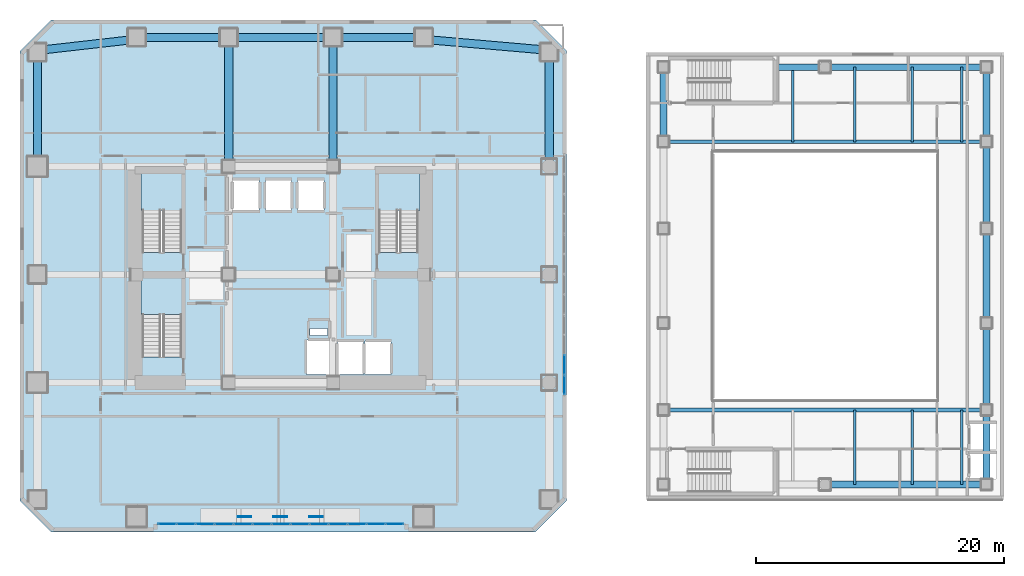
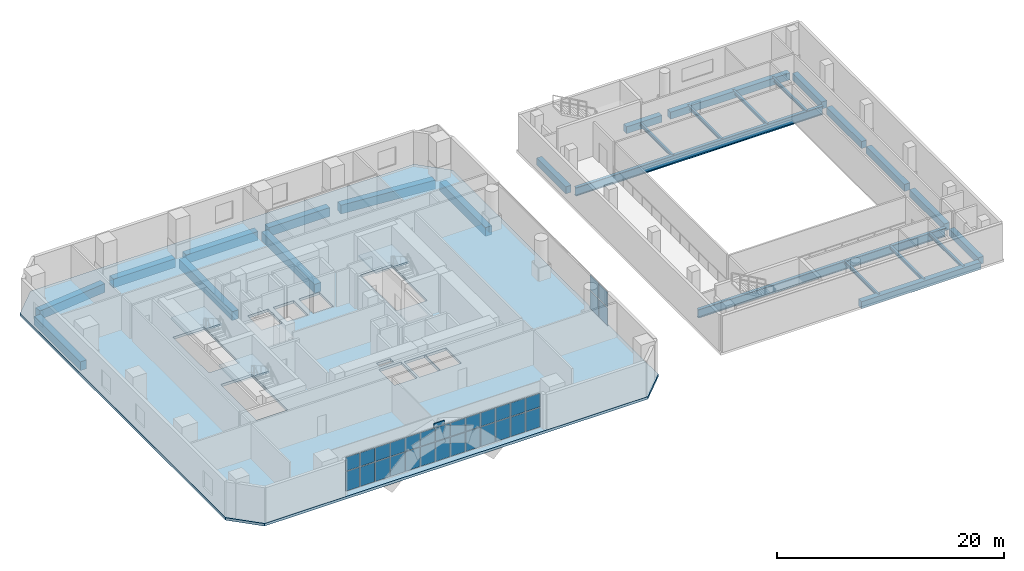
# One storey, part 12 of 22: 33 plates, 27 beams, 4 slabs, 5 elements without a shape of their own.
"""IFC4 building model written with IfcOpenShell, lengths in metres."""

from ifc_helpers import new_model, si_unit, direction, frame, origin, origin_2d, place, context, subcontext, project, spatial, polyline, rectangle, i_section, outline, extrude, material, layer, layer_set, material_profile, profile_set, type_object, element, aggregate, save


model = new_model("IFC4")

# Units and contexts
model_context = context("Model", 3, precision=1e-05, world=origin(), true_north=direction((0.0, 1.0)))
body_context = subcontext(model_context, "Body", "Model", "MODEL_VIEW")
ifc_project = project(units=[si_unit("LENGTHUNIT", "METRE"), si_unit("AREAUNIT", "SQUARE_METRE"), si_unit("VOLUMEUNIT", "CUBIC_METRE"), si_unit("PLANEANGLEUNIT", "RADIAN"), si_unit("MASSUNIT", "GRAM", prefix="KILO")], contexts=[model_context])

# Site, building, storey
site_placement = place(None, origin())
site = spatial("IfcSite", under=ifc_project, at=site_placement, CompositionType="ELEMENT")
building_placement = place(site_placement, origin())
building = spatial("IfcBuilding", under=site, at=building_placement, Name="Solanera Arch Residences", CompositionType="ELEMENT")
storey_placement = place(building_placement, frame((0.0, 0.0, 13.60009765625)))
storey = spatial("IfcBuildingStorey", under=building, at=storey_placement, Name="L03", CompositionType="ELEMENT", Elevation=13.60009765625)

# Beams
ifc_material_1 = material(Name="Concrete C40/50 (f'c = 45 MPa)", Category="concrete")
ifc_material_profile_1 = material_profile(ifc_material_1, rectangle(XDim=0.550048828125, YDim=0.75, at=origin_2d()))
ifc_profile_set_1 = profile_set([ifc_material_profile_1], Name="Concrete C40/50 (f'c = 45 MPa)")
beam_type_1 = type_object("IfcBeamType", Name="Primary Beam RC-BM-550X750", PredefinedType="BEAM", material=ifc_profile_set_1)
beam_1_placement = place(storey_placement, frame((81.800048828125, 14.22509765625, -0.655029296875), z_axis=(0.0, 1.0, 0.0), x_axis=(-1.0, 0.0, 0.0)))
element("IfcBeam", 1, at=beam_1_placement, inside=storey, type_object=beam_type_1, Name="BM-L03-HE-1", PredefinedType="BEAM", context=body_context, shape_type="SweptSolid", body=[
    extrude(rectangle(XDim=0.550048828125, YDim=0.75, at=origin_2d()), origin(), (0.0, 0.0, 1.0), 5.14990234375),
])
beam_2_placement = place(storey_placement, frame((81.800048828125, 20.22509765625, -0.655029296875), z_axis=(0.0, 1.0, 0.0), x_axis=(-1.0, 0.0, 0.0)))
element("IfcBeam", 2, at=beam_2_placement, inside=storey, type_object=beam_type_1, Name="BM-L03-HE-2", PredefinedType="BEAM", context=body_context, shape_type="SweptSolid", body=[
    extrude(rectangle(XDim=0.550048828125, YDim=0.75, at=origin_2d()), origin(), (0.0, 0.0, 1.0), 6.14990234375),
])
beam_3_placement = place(storey_placement, frame((81.800048828125, 27.22509765625, -0.655029296875), z_axis=(0.0, 1.0, 0.0), x_axis=(-1.0, 0.0, 0.0)))
element("IfcBeam", 3, at=beam_3_placement, inside=storey, type_object=beam_type_1, Name="BM-L03-HE-3", PredefinedType="BEAM", context=body_context, shape_type="SweptSolid", body=[
    extrude(rectangle(XDim=0.550048828125, YDim=0.75, at=origin_2d()), origin(), (0.0, 0.0, 1.0), 6.75),
])
beam_4_placement = place(storey_placement, frame((81.800048828125, 34.824951171875, -0.655029296875), z_axis=(0.0, 1.0, 0.0), x_axis=(-1.0, 0.0, 0.0)))
element("IfcBeam", 4, at=beam_4_placement, inside=storey, type_object=beam_type_1, Name="BM-L03-HE-4", PredefinedType="BEAM", context=body_context, shape_type="SweptSolid", body=[
    extrude(rectangle(XDim=0.550048828125, YDim=0.75, at=origin_2d()), origin(), (0.0, 0.0, 1.0), 6.150146484375),
])
for number, where, z_axis, x_axis, name in (
    (5, (55.800048828125, 41.824951171875, -0.655029296875), (0.0, 1.0, 0.0), (-1.0, 0.0, 0.0), "BM-L03-HW-5"),
    (6, (81.800048828125, 41.824951171875, -0.655029296875), (0.0, 1.0, 0.0), (-1.0, 0.0, 0.0), "BM-L03-HE-5"),
):
    element("IfcBeam", number, at=place(storey_placement, frame(where, z_axis=z_axis, x_axis=x_axis)), inside=storey, type_object=beam_type_1, Name=name, PredefinedType="BEAM", context=body_context, shape_type="SweptSolid", body=[
        extrude(rectangle(XDim=0.550048828125, YDim=0.75, at=origin_2d()), origin(), (0.0, 0.0, 1.0), 5.150146484375),
    ])
beam_5_placement = place(storey_placement, frame((69.25, 13.800048828125, -0.655029296875), z_axis=(1.0, 0.0, 0.0), x_axis=(0.0, 1.0, 0.0)))
element("IfcBeam", 7, at=beam_5_placement, inside=storey, type_object=beam_type_1, Name="BM-L03-HS-2", PredefinedType="BEAM", context=body_context, shape_type="SweptSolid", body=[
    extrude(rectangle(XDim=0.550048828125, YDim=0.75, at=origin_2d()), origin(), (0.0, 0.0, 1.0), 12.125),
])
beam_6_placement = place(storey_placement, frame((64.760009765625, 47.39990234375, -0.655029296875), z_axis=(1.0, 0.0, 0.0), x_axis=(0.0, 1.0, 0.0)))
element("IfcBeam", 8, at=beam_6_placement, inside=storey, type_object=beam_type_1, Name="BM-L03-HN-1", PredefinedType="BEAM", context=body_context, shape_type="SweptSolid", body=[
    extrude(rectangle(XDim=0.550048828125, YDim=0.75, at=origin_2d()), origin(), (0.0, 0.0, 1.0), 3.590087890625),
])
beam_7_placement = place(storey_placement, frame((69.25, 47.39990234375, -0.655029296875), z_axis=(1.0, 0.0, 0.0), x_axis=(0.0, 1.0, 0.0)))
element("IfcBeam", 9, at=beam_7_placement, inside=storey, type_object=beam_type_1, Name="BM-L03-HN-2", PredefinedType="BEAM", context=body_context, shape_type="SweptSolid", body=[
    extrude(rectangle(XDim=0.550048828125, YDim=0.75, at=origin_2d()), origin(), (0.0, 0.0, 1.0), 12.125),
])
ifc_material_2 = material(Name="Concrete C40/50 (f'c = 45 MPa)", Category="concrete")
ifc_material_profile_2 = material_profile(ifc_material_2, rectangle(XDim=0.64990234375, YDim=0.949951171875, at=origin_2d()))
ifc_profile_set_2 = profile_set([ifc_material_profile_2], Name="Concrete C40/50 (f'c = 45 MPa)")
beam_type_2 = type_object("IfcBeamType", Name="Primary Beam RC-BM-650X950", PredefinedType="BEAM", material=ifc_profile_set_2)
beam_8_placement = place(storey_placement, frame((5.39990234375, 39.93994140625, -0.755126953125), z_axis=(0.0, 1.0, 0.0), x_axis=(-1.0, 0.0, 0.0)))
element("IfcBeam", 10, at=beam_8_placement, inside=storey, type_object=beam_type_2, Name="BM-L03-POD-W4", PredefinedType="BEAM", context=body_context, shape_type="SweptSolid", body=[
    extrude(rectangle(XDim=0.64990234375, YDim=0.949951171875, at=origin_2d()), origin(), (0.0, 0.0, 1.0), 8.1201171875),
])
beam_9_placement = place(storey_placement, frame((5.8798828125, 48.800048828125, -0.755126953125), z_axis=(0.993604551923, 0.112915873098, 0.0), x_axis=(-0.112915873098, 0.993604551923, 0.0)))
element("IfcBeam", 11, at=beam_9_placement, inside=storey, type_object=beam_type_2, Name="BM-L03-POD-N1", PredefinedType="BEAM", context=body_context, shape_type="SweptSolid", body=[
    extrude(rectangle(XDim=0.64990234375, YDim=0.949951171875, at=origin_2d()), origin(), (0.0, 0.0, 1.0), 7.08544921875),
])
beam_10_placement = place(storey_placement, frame((13.93994140625, 49.800048828125, -0.755126953125), z_axis=(1.0, 0.0, 0.0), x_axis=(0.0, 1.0, 0.0)))
element("IfcBeam", 12, at=beam_10_placement, inside=storey, type_object=beam_type_2, Name="BM-L03-POD-N2", PredefinedType="BEAM", context=body_context, shape_type="SweptSolid", body=[
    extrude(rectangle(XDim=0.64990234375, YDim=0.949951171875, at=origin_2d()), origin(), (0.0, 0.0, 1.0), 6.320068359375),
])
beam_11_placement = place(storey_placement, frame((21.340087890625, 49.800048828125, -0.755126953125), z_axis=(1.0, 0.0, 0.0), x_axis=(0.0, 1.0, 0.0)))
element("IfcBeam", 13, at=beam_11_placement, inside=storey, type_object=beam_type_2, Name="BM-L03-POD-N3", PredefinedType="BEAM", context=body_context, shape_type="SweptSolid", body=[
    extrude(rectangle(XDim=0.64990234375, YDim=0.949951171875, at=origin_2d()), origin(), (0.0, 0.0, 1.0), 7.31982421875),
])
beam_12_placement = place(storey_placement, frame((29.739990234375, 49.800048828125, -0.755126953125), z_axis=(1.0, 0.0, 0.0), x_axis=(0.0, 1.0, 0.0)))
element("IfcBeam", 14, at=beam_12_placement, inside=storey, type_object=beam_type_2, Name="BM-L03-POD-N4", PredefinedType="BEAM", context=body_context, shape_type="SweptSolid", body=[
    extrude(rectangle(XDim=0.64990234375, YDim=0.949951171875, at=origin_2d()), origin(), (0.0, 0.0, 1.0), 6.219970703125),
])
beam_13_placement = place(storey_placement, frame((36.97998046875, 49.60009765625, -0.755126953125), z_axis=(0.996191002053, -0.087197978357, 0.0), x_axis=(0.087197978357, 0.996191002053, 0.0)))
element("IfcBeam", 15, at=beam_13_placement, inside=storey, type_object=beam_type_2, Name="BM-L03-POD-N5", PredefinedType="BEAM", context=body_context, shape_type="SweptSolid", body=[
    extrude(rectangle(XDim=0.64990234375, YDim=0.949951171875, at=origin_2d()), origin(), (0.0, 0.0, 1.0), 9.175048828125),
])
beam_14_placement = place(storey_placement, frame((46.60009765625, 39.93994140625, -0.755126953125), z_axis=(0.0, 1.0, 0.0), x_axis=(-1.0, 0.0, 0.0)))
element("IfcBeam", 16, at=beam_14_placement, inside=storey, type_object=beam_type_2, Name="BM-L03-POD-E4", PredefinedType="BEAM", context=body_context, shape_type="SweptSolid", body=[
    extrude(rectangle(XDim=0.64990234375, YDim=0.949951171875, at=origin_2d()), origin(), (0.0, 0.0, 1.0), 8.1201171875),
])
for number, where, z_axis, x_axis, name in (
    (17, (20.800048828125, 39.904052734375, -0.755126953125), (0.0, 1.0, 0.0), (-1.0, 0.0, 0.0), "BM-L03-POD-RN-20"),
    (18, (29.199951171875, 39.904052734375, -0.755126953125), (0.0, 1.0, 0.0), (-1.0, 0.0, 0.0), "BM-L03-POD-RN-29"),
):
    element("IfcBeam", number, at=place(storey_placement, frame(where, z_axis=z_axis, x_axis=x_axis)), inside=storey, type_object=beam_type_2, Name=name, PredefinedType="BEAM", context=body_context, shape_type="SweptSolid", body=[
        extrude(rectangle(XDim=0.64990234375, YDim=0.949951171875, at=origin_2d()), origin(), (0.0, 0.0, 1.0), 9.35595703125),
    ])
ifc_material_3 = material(Name="Steel S355 (ASTM A992 / A572 Grade 50)", Category="steel")
ifc_material_profile_3 = material_profile(ifc_material_3, i_section(OverallWidth=0.306884765625, OverallDepth=0.912109375, WebThickness=0.01953125, FlangeThickness=0.031982421875, at=origin_2d()))
ifc_profile_set_3 = profile_set([ifc_material_profile_3], Name="Steel S355 (ASTM A992 / A572 Grade 50)")
beam_type_3 = type_object("IfcBeamType", Name="Primary Beam W920X342", PredefinedType="BEAM", material=ifc_profile_set_3)
for number, where, z_axis, x_axis, name in (
    (19, (56.22509765625, 19.800048828125, -0.736083984375), (1.0, 0.0, 0.0), (0.0, 1.0, 0.0), "BM-L03-HCS"),
    (20, (56.22509765625, 41.39990234375, -0.736083984375), (1.0, 0.0, 0.0), (0.0, 1.0, 0.0), "BM-L03-HCN"),
):
    element("IfcBeam", number, at=place(storey_placement, frame(where, z_axis=z_axis, x_axis=x_axis)), inside=storey, type_object=beam_type_3, Name=name, PredefinedType="BEAM", context=body_context, shape_type="SweptSolid", body=[
        extrude(i_section(OverallWidth=0.306884765625, OverallDepth=0.912109375, WebThickness=0.01953125, FlangeThickness=0.031982421875, at=origin_2d()), origin(), (0.0, 0.0, 1.0), 25.14990234375),
    ])
ifc_material_4 = material(Name="Steel S355 (ASTM A992 / A572 Grade 50)", Category="steel")
ifc_material_profile_4 = material_profile(ifc_material_4, i_section(OverallWidth=0.205078125, OverallDepth=0.35400390625, WebThickness=0.009521484375, FlangeThickness=0.016845703125, at=origin_2d()))
ifc_profile_set_4 = profile_set([ifc_material_profile_4], Name="Steel S355 (ASTM A992 / A572 Grade 50)")
beam_type_4 = type_object("IfcBeamType", Name="Secondary Joist W360X79", PredefinedType="JOIST", material=ifc_profile_set_4)
for number, where, z_axis, x_axis, name in (
    (21, (66.199951171875, 41.39990234375, -0.45703125), (0.0, 1.0, 0.0), (-1.0, 0.0, 0.0), "BM-L03-HJN-66"),
    (22, (71.199951171875, 13.800048828125, -0.45703125), (0.0, 1.0, 0.0), (-1.0, 0.0, 0.0), "BM-L03-HJS-71"),
    (23, (71.199951171875, 41.39990234375, -0.45703125), (0.0, 1.0, 0.0), (-1.0, 0.0, 0.0), "BM-L03-HJN-71"),
    (24, (75.800048828125, 13.800048828125, -0.45703125), (0.0, 1.0, 0.0), (-1.0, 0.0, 0.0), "BM-L03-HJS-75"),
    (25, (75.800048828125, 41.39990234375, -0.45703125), (0.0, 1.0, 0.0), (-1.0, 0.0, 0.0), "BM-L03-HJN-75"),
    (26, (79.800048828125, 13.800048828125, -0.45703125), (0.0, 1.0, 0.0), (-1.0, 0.0, 0.0), "BM-L03-HJS-79"),
    (27, (79.800048828125, 41.39990234375, -0.45703125), (0.0, 1.0, 0.0), (-1.0, 0.0, 0.0), "BM-L03-HJN-79"),
):
    element("IfcBeam", number, at=place(storey_placement, frame(where, z_axis=z_axis, x_axis=x_axis)), inside=storey, type_object=beam_type_4, Name=name, PredefinedType="JOIST", context=body_context, shape_type="SweptSolid", body=[
        extrude(i_section(OverallWidth=0.205078125, OverallDepth=0.35400390625, WebThickness=0.009521484375, FlangeThickness=0.016845703125, at=origin_2d()), origin(), (0.0, 0.0, 1.0), 6.0),
    ])

# Plates
ifc_material_5 = material(Name="Steel S355 (ASTM A992 / A572 Grade 50)", Category="steel")
ifc_layer_1 = layer(ifc_material_5, 0.080078125)
ifc_layer_set_1 = layer_set([ifc_layer_1], Name="Steel S355 (ASTM A992 / A572 Grade 50)")
plate_type_1 = type_object("IfcPlateType", Name="Gusset Plate GP-80", PredefinedType="USERDEFINED", material=ifc_layer_set_1)
for number, where, z_axis, x_axis, name in (
    (28, (22.06201171875, 11.199951171875, 0.89990234375), (0.0, 0.0, 1.0), (1.0, 0.0, 0.0), "Monumental Arch Node Gusset 3"),
    (29, (24.949951171875, 11.199951171875, 1.849853515625), (0.0, 0.0, 1.0), (1.0, 0.0, 0.0), "Monumental Arch Node Gusset 4"),
    (30, (27.8369140625, 11.199951171875, 0.89990234375), (0.0, 0.0, 1.0), (1.0, 0.0, 0.0), "Monumental Arch Node Gusset 5"),
):
    element("IfcPlate", number, at=place(storey_placement, frame(where, z_axis=z_axis, x_axis=x_axis)), inside=storey, type_object=plate_type_1, Name=name, ObjectType="GUSSET", PredefinedType="USERDEFINED", context=body_context, shape_type="SweptSolid", body=[
        extrude(rectangle(XDim=1.10009765625, YDim=0.080078125, at=origin_2d()), origin(), (0.0, 0.0, 1.0), 1.89990234375),
    ])

# Stair, slab
ifc_material_6 = material(Name="Concrete C40/50 (f'c = 45 MPa)", Category="concrete")
stair_type = type_object("IfcStairType", Name="Tower Dogleg Exit Stair 1480", PredefinedType="HALF_TURN_STAIR", material=ifc_material_6)
stair_1_placement = place(storey_placement, origin())
stair_1 = element("IfcStair", 31, at=stair_1_placement, inside=storey, type_object=stair_type, Name="L03 Tower Core Exit Stair 1", PredefinedType="HALF_TURN_STAIR")
ifc_material_7 = material(Name="Concrete C40/50 (f'c = 45 MPa)", Category="concrete")
ifc_layer_2 = layer(ifc_material_7, 0.199951171875)
ifc_layer_set_2 = layer_set([ifc_layer_2], Name="Concrete C40/50 (f'c = 45 MPa)")
slab_type_1 = type_object("IfcSlabType", Name="Stair Half-Landing Slab 200", PredefinedType="LANDING", material=ifc_layer_set_2)
slab_1_placement = place(storey_placement, frame((0.0, 0.0, 1.89990234375)))
slab_1 = element("IfcSlab", 32, at=slab_1_placement, type_object=slab_type_1, Name="ST-T1 landing 1", PredefinedType="LANDING", context=body_context, shape_type="SweptSolid", body=[
    extrude(outline(polyline([(17.1201171875, 35.8798828125), (17.1201171875, 38.919921875), (13.719970703125, 38.919921875), (13.719970703125, 35.8798828125), (17.1201171875, 35.8798828125)])), origin(), (0.0, 0.0, 1.0), 0.199951171875),
])
aggregate(stair_1, [slab_1])

stair_2_placement = place(storey_placement, origin())
stair_2 = element("IfcStair", 33, at=stair_2_placement, inside=storey, type_object=stair_type, Name="L03 Tower Core Exit Stair 2", PredefinedType="HALF_TURN_STAIR")
slab_2_placement = place(storey_placement, frame((0.0, 0.0, 1.89990234375)))
slab_2 = element("IfcSlab", 34, at=slab_2_placement, type_object=slab_type_1, Name="ST-T2 landing 1", PredefinedType="LANDING", context=body_context, shape_type="SweptSolid", body=[
    extrude(outline(polyline([(36.179931640625, 35.8798828125), (36.179931640625, 38.919921875), (32.780029296875, 38.919921875), (32.780029296875, 35.8798828125), (36.179931640625, 35.8798828125)])), origin(), (0.0, 0.0, 1.0), 0.199951171875),
])
aggregate(stair_2, [slab_2])

stair_3_placement = place(storey_placement, origin())
stair_3 = element("IfcStair", 35, at=stair_3_placement, inside=storey, type_object=stair_type, Name="L03 Tower Core Exit Stair 3", PredefinedType="HALF_TURN_STAIR")
slab_3_placement = place(storey_placement, frame((0.0, 0.0, 1.89990234375)))
slab_3 = element("IfcSlab", 36, at=slab_3_placement, type_object=slab_type_1, Name="ST-T3 landing 1", PredefinedType="LANDING", context=body_context, shape_type="SweptSolid", body=[
    extrude(outline(polyline([(17.1201171875, 27.47998046875), (17.1201171875, 30.52001953125), (13.719970703125, 30.52001953125), (13.719970703125, 27.47998046875), (17.1201171875, 27.47998046875)])), origin(), (0.0, 0.0, 1.0), 0.199951171875),
])
aggregate(stair_3, [slab_3])

# Slab
ifc_material_8 = material(Name="Concrete C40/50 (f'c = 45 MPa)", Category="concrete")
ifc_layer_3 = layer(ifc_material_8, 0.280029296875)
ifc_layer_set_3 = layer_set([ifc_layer_3], Name="Concrete C40/50 (f'c = 45 MPa)")
slab_type_2 = type_object("IfcSlabType", Name="Suspended Floor Slab Post-Tensioned 280", PredefinedType="FLOOR", material=ifc_layer_set_3)
slab_4_placement = place(storey_placement, frame((0.0, 0.0, -0.280029296875)))
element("IfcSlab", 37, at=slab_4_placement, inside=storey, type_object=slab_type_2, Name="L03 Tower Podium Structural Slab", PredefinedType="FLOOR", context=body_context, shape_type="SweptSolid", body=[
    extrude(outline(polyline([(6.5, 10.0), (45.5, 10.0), (48.0, 12.5), (48.0, 48.699951171875), (45.5, 51.199951171875), (6.5, 51.199951171875), (4.0, 48.699951171875), (4.0, 12.5), (6.5, 10.0)]), holes=[polyline([(13.840087890625, 32.48291015625), (13.840087890625, 38.800048828125), (17.0, 38.800048828125), (17.0, 32.48291015625), (13.840087890625, 32.48291015625)]), polyline([(32.89990234375, 32.48291015625), (32.89990234375, 38.800048828125), (36.06005859375, 38.800048828125), (36.06005859375, 32.48291015625), (32.89990234375, 32.48291015625)]), polyline([(13.840087890625, 24.0830078125), (13.840087890625, 30.39990234375), (17.0, 30.39990234375), (17.0, 24.0830078125), (13.840087890625, 24.0830078125)]), polyline([(21.14990234375, 38.35009765625), (23.25, 38.35009765625), (23.25, 35.85009765625), (21.14990234375, 35.85009765625), (21.14990234375, 38.35009765625)]), polyline([(23.75, 38.35009765625), (25.85009765625, 38.35009765625), (25.85009765625, 35.85009765625), (23.75, 35.85009765625), (23.75, 38.35009765625)]), polyline([(26.35009765625, 38.35009765625), (28.449951171875, 38.35009765625), (28.449951171875, 35.85009765625), (26.35009765625, 35.85009765625), (26.35009765625, 38.35009765625)]), polyline([(29.550048828125, 25.35009765625), (31.64990234375, 25.35009765625), (31.64990234375, 22.64990234375), (29.550048828125, 22.64990234375), (29.550048828125, 25.35009765625)]), polyline([(31.75, 25.35009765625), (33.85009765625, 25.35009765625), (33.85009765625, 22.64990234375), (31.75, 22.64990234375), (31.75, 25.35009765625)]), polyline([(27.050048828125, 25.449951171875), (29.35009765625, 25.449951171875), (29.35009765625, 22.64990234375), (27.050048828125, 22.64990234375), (27.050048828125, 25.449951171875)]), polyline([(27.340087890625, 26.3798828125), (28.760009765625, 26.3798828125), (28.760009765625, 25.820068359375), (27.340087890625, 25.820068359375), (27.340087890625, 26.3798828125)])]), origin(), (0.0, 0.0, 1.0), 0.280029296875),
])

# Curtain wall, plates
ifc_material_9 = material(Name="Anodised Aluminium Alloy 6063-T6", Category="aluminium")
ifc_layer_4 = layer(ifc_material_9, 0.179931640625)
ifc_layer_set_4 = layer_set([ifc_layer_4], Name="Anodised Aluminium Alloy 6063-T6")
curtain_wall_type_1 = type_object("IfcCurtainWallType", Name="CW-4 Podium Conservatory Curtain Wall", PredefinedType="USERDEFINED", material=ifc_layer_set_4)
curtain_wall_1_placement = place(storey_placement, origin())
curtain_wall_1 = element("IfcCurtainWall", 38, at=curtain_wall_1_placement, inside=storey, type_object=curtain_wall_type_1, Name="L03 Podium Conservatory Curtain Wall 3", ObjectType="CURTAIN_WALL", PredefinedType="USERDEFINED")
ifc_material_10 = material(Name="Double Glazed Low-E Laminated Glass", Category="glass")
ifc_layer_5 = layer(ifc_material_10, 0.028076171875)
ifc_layer_set_5 = layer_set([ifc_layer_5], Name="Double Glazed Low-E Laminated Glass")
plate_type_2 = type_object("IfcPlateType", Name="Vision Glazing Panel GL-28", PredefinedType="CURTAIN_PANEL", material=ifc_layer_set_5)
plate_1_placement = place(storey_placement, frame((47.820068359375, 23.4375, 0.080078125), z_axis=(0.0, 0.0, 1.0), x_axis=(0.0, -1.0, 0.0)))
plate_1 = element("IfcPlate", 39, at=plate_1_placement, type_object=plate_type_2, Name="CW-4 panel 3.1", PredefinedType="CURTAIN_PANEL", context=body_context, shape_type="SweptSolid", body=[
    extrude(rectangle(XDim=1.544921875, YDim=0.028076171875, at=origin_2d()), origin(), (0.0, 0.0, 1.0), 1.8798828125),
])
plate_2_placement = place(storey_placement, frame((47.820068359375, 23.4375, 2.0400390625), z_axis=(0.0, 0.0, 1.0), x_axis=(0.0, -1.0, 0.0)))
plate_2 = element("IfcPlate", 40, at=plate_2_placement, type_object=plate_type_2, Name="CW-4 panel 3.2", PredefinedType="CURTAIN_PANEL", context=body_context, shape_type="SweptSolid", body=[
    extrude(rectangle(XDim=1.544921875, YDim=0.028076171875, at=origin_2d()), origin(), (0.0, 0.0, 1.0), 1.659912109375),
])
plate_3_placement = place(storey_placement, frame((47.820068359375, 21.83251953125, 0.080078125), z_axis=(0.0, 0.0, 1.0), x_axis=(0.0, -1.0, 0.0)))
plate_3 = element("IfcPlate", 41, at=plate_3_placement, type_object=plate_type_2, Name="CW-4 panel 4.1", PredefinedType="CURTAIN_PANEL", context=body_context, shape_type="SweptSolid", body=[
    extrude(rectangle(XDim=1.5048828125, YDim=0.028076171875, at=origin_2d()), origin(), (0.0, 0.0, 1.0), 1.8798828125),
])
plate_4_placement = place(storey_placement, frame((47.820068359375, 21.83251953125, 2.0400390625), z_axis=(0.0, 0.0, 1.0), x_axis=(0.0, -1.0, 0.0)))
plate_4 = element("IfcPlate", 42, at=plate_4_placement, type_object=plate_type_2, Name="CW-4 panel 4.2", PredefinedType="CURTAIN_PANEL", context=body_context, shape_type="SweptSolid", body=[
    extrude(rectangle(XDim=1.5048828125, YDim=0.028076171875, at=origin_2d()), origin(), (0.0, 0.0, 1.0), 1.659912109375),
])
aggregate(curtain_wall_1, [plate_1, plate_2, plate_3, plate_4])

ifc_material_11 = material(Name="Anodised Aluminium Alloy 6063-T6", Category="aluminium")
ifc_layer_6 = layer(ifc_material_11, 0.179931640625)
ifc_layer_set_6 = layer_set([ifc_layer_6], Name="Anodised Aluminium Alloy 6063-T6")
curtain_wall_type_2 = type_object("IfcCurtainWallType", Name="CW-1 Arch Portal Unitised Glazing", PredefinedType="USERDEFINED", material=ifc_layer_set_6)
curtain_wall_2_placement = place(storey_placement, origin())
curtain_wall_2 = element("IfcCurtainWall", 43, at=curtain_wall_2_placement, inside=storey, type_object=curtain_wall_type_2, Name="L03 Arch Portal Unitised Curtain Wall", ObjectType="CURTAIN_WALL", PredefinedType="USERDEFINED")
plate_5_placement = place(storey_placement, frame((34.1552734375, 10.6298828125, 0.079833984375), z_axis=(0.0, 0.0, 1.0), x_axis=(-1.0, 0.0, 0.0)))
plate_5 = element("IfcPlate", 44, at=plate_5_placement, type_object=plate_type_2, Name="CW-1 panel 1.1", PredefinedType="CURTAIN_PANEL", context=body_context, shape_type="SweptSolid", body=[
    extrude(rectangle(XDim=1.4091796875, YDim=0.028076171875, at=origin_2d()), origin(), (0.0, 0.0, 1.0), 2.080078125),
])
plate_6_placement = place(storey_placement, frame((34.1552734375, 10.6298828125, 2.239990234375), z_axis=(0.0, 0.0, 1.0), x_axis=(-1.0, 0.0, 0.0)))
plate_6 = element("IfcPlate", 45, at=plate_6_placement, type_object=plate_type_2, Name="CW-1 panel 1.2", PredefinedType="CURTAIN_PANEL", context=body_context, shape_type="SweptSolid", body=[
    extrude(rectangle(XDim=1.4091796875, YDim=0.028076171875, at=origin_2d()), origin(), (0.0, 0.0, 1.0), 1.4599609375),
])
plate_7_placement = place(storey_placement, frame((32.646240234375, 10.6298828125, 0.079833984375), z_axis=(0.0, 0.0, 1.0), x_axis=(-1.0, 0.0, 0.0)))
plate_7 = element("IfcPlate", 46, at=plate_7_placement, type_object=plate_type_2, Name="CW-1 panel 2.1", PredefinedType="CURTAIN_PANEL", context=body_context, shape_type="SweptSolid", body=[
    extrude(rectangle(XDim=1.44921875, YDim=0.028076171875, at=origin_2d()), origin(), (0.0, 0.0, 1.0), 2.080078125),
])
plate_8_placement = place(storey_placement, frame((32.646240234375, 10.6298828125, 2.239990234375), z_axis=(0.0, 0.0, 1.0), x_axis=(-1.0, 0.0, 0.0)))
plate_8 = element("IfcPlate", 47, at=plate_8_placement, type_object=plate_type_2, Name="CW-1 panel 2.2", PredefinedType="CURTAIN_PANEL", context=body_context, shape_type="SweptSolid", body=[
    extrude(rectangle(XDim=1.44921875, YDim=0.028076171875, at=origin_2d()), origin(), (0.0, 0.0, 1.0), 1.4599609375),
])
plate_9_placement = place(storey_placement, frame((31.116943359375, 10.6298828125, 0.079833984375), z_axis=(0.0, 0.0, 1.0), x_axis=(-1.0, 0.0, 0.0)))
plate_9 = element("IfcPlate", 48, at=plate_9_placement, type_object=plate_type_2, Name="CW-1 panel 3.1", PredefinedType="CURTAIN_PANEL", context=body_context, shape_type="SweptSolid", body=[
    extrude(rectangle(XDim=1.44921875, YDim=0.028076171875, at=origin_2d()), origin(), (0.0, 0.0, 1.0), 2.080078125),
])
plate_10_placement = place(storey_placement, frame((31.116943359375, 10.6298828125, 2.239990234375), z_axis=(0.0, 0.0, 1.0), x_axis=(-1.0, 0.0, 0.0)))
plate_10 = element("IfcPlate", 49, at=plate_10_placement, type_object=plate_type_2, Name="CW-1 panel 3.2", PredefinedType="CURTAIN_PANEL", context=body_context, shape_type="SweptSolid", body=[
    extrude(rectangle(XDim=1.44921875, YDim=0.028076171875, at=origin_2d()), origin(), (0.0, 0.0, 1.0), 1.4599609375),
])
plate_11_placement = place(storey_placement, frame((29.587646484375, 10.6298828125, 0.079833984375), z_axis=(0.0, 0.0, 1.0), x_axis=(-1.0, 0.0, 0.0)))
plate_11 = element("IfcPlate", 50, at=plate_11_placement, type_object=plate_type_2, Name="CW-1 panel 4.1", PredefinedType="CURTAIN_PANEL", context=body_context, shape_type="SweptSolid", body=[
    extrude(rectangle(XDim=1.44921875, YDim=0.028076171875, at=origin_2d()), origin(), (0.0, 0.0, 1.0), 2.080078125),
])
plate_12_placement = place(storey_placement, frame((29.587646484375, 10.6298828125, 2.239990234375), z_axis=(0.0, 0.0, 1.0), x_axis=(-1.0, 0.0, 0.0)))
plate_12 = element("IfcPlate", 51, at=plate_12_placement, type_object=plate_type_2, Name="CW-1 panel 4.2", PredefinedType="CURTAIN_PANEL", context=body_context, shape_type="SweptSolid", body=[
    extrude(rectangle(XDim=1.44921875, YDim=0.028076171875, at=origin_2d()), origin(), (0.0, 0.0, 1.0), 1.4599609375),
])
plate_13_placement = place(storey_placement, frame((28.058349609375, 10.6298828125, 0.079833984375), z_axis=(0.0, 0.0, 1.0), x_axis=(-1.0, 0.0, 0.0)))
plate_13 = element("IfcPlate", 52, at=plate_13_placement, type_object=plate_type_2, Name="CW-1 panel 5.1", PredefinedType="CURTAIN_PANEL", context=body_context, shape_type="SweptSolid", body=[
    extrude(rectangle(XDim=1.44921875, YDim=0.028076171875, at=origin_2d()), origin(), (0.0, 0.0, 1.0), 2.080078125),
])
plate_14_placement = place(storey_placement, frame((28.058349609375, 10.6298828125, 2.239990234375), z_axis=(0.0, 0.0, 1.0), x_axis=(-1.0, 0.0, 0.0)))
plate_14 = element("IfcPlate", 53, at=plate_14_placement, type_object=plate_type_2, Name="CW-1 panel 5.2", PredefinedType="CURTAIN_PANEL", context=body_context, shape_type="SweptSolid", body=[
    extrude(rectangle(XDim=1.44921875, YDim=0.028076171875, at=origin_2d()), origin(), (0.0, 0.0, 1.0), 1.4599609375),
])
plate_15_placement = place(storey_placement, frame((26.529296875, 10.6298828125, 0.079833984375), z_axis=(0.0, 0.0, 1.0), x_axis=(-1.0, 0.0, 0.0)))
plate_15 = element("IfcPlate", 54, at=plate_15_placement, type_object=plate_type_2, Name="CW-1 panel 6.1", PredefinedType="CURTAIN_PANEL", context=body_context, shape_type="SweptSolid", body=[
    extrude(rectangle(XDim=1.44921875, YDim=0.028076171875, at=origin_2d()), origin(), (0.0, 0.0, 1.0), 2.080078125),
])
plate_16_placement = place(storey_placement, frame((26.529296875, 10.6298828125, 2.239990234375), z_axis=(0.0, 0.0, 1.0), x_axis=(-1.0, 0.0, 0.0)))
plate_16 = element("IfcPlate", 55, at=plate_16_placement, type_object=plate_type_2, Name="CW-1 panel 6.2", PredefinedType="CURTAIN_PANEL", context=body_context, shape_type="SweptSolid", body=[
    extrude(rectangle(XDim=1.44921875, YDim=0.028076171875, at=origin_2d()), origin(), (0.0, 0.0, 1.0), 1.4599609375),
])
plate_17_placement = place(storey_placement, frame((25.0, 10.6298828125, 0.079833984375), z_axis=(0.0, 0.0, 1.0), x_axis=(-1.0, 0.0, 0.0)))
plate_17 = element("IfcPlate", 56, at=plate_17_placement, type_object=plate_type_2, Name="CW-1 panel 7.1", PredefinedType="CURTAIN_PANEL", context=body_context, shape_type="SweptSolid", body=[
    extrude(rectangle(XDim=1.44921875, YDim=0.028076171875, at=origin_2d()), origin(), (0.0, 0.0, 1.0), 2.080078125),
])
plate_18_placement = place(storey_placement, frame((25.0, 10.6298828125, 2.239990234375), z_axis=(0.0, 0.0, 1.0), x_axis=(-1.0, 0.0, 0.0)))
plate_18 = element("IfcPlate", 57, at=plate_18_placement, type_object=plate_type_2, Name="CW-1 panel 7.2", PredefinedType="CURTAIN_PANEL", context=body_context, shape_type="SweptSolid", body=[
    extrude(rectangle(XDim=1.44921875, YDim=0.028076171875, at=origin_2d()), origin(), (0.0, 0.0, 1.0), 1.4599609375),
])
plate_19_placement = place(storey_placement, frame((23.470703125, 10.6298828125, 0.079833984375), z_axis=(0.0, 0.0, 1.0), x_axis=(-1.0, 0.0, 0.0)))
plate_19 = element("IfcPlate", 58, at=plate_19_placement, type_object=plate_type_2, Name="CW-1 panel 8.1", PredefinedType="CURTAIN_PANEL", context=body_context, shape_type="SweptSolid", body=[
    extrude(rectangle(XDim=1.44921875, YDim=0.028076171875, at=origin_2d()), origin(), (0.0, 0.0, 1.0), 2.080078125),
])
plate_20_placement = place(storey_placement, frame((23.470703125, 10.6298828125, 2.239990234375), z_axis=(0.0, 0.0, 1.0), x_axis=(-1.0, 0.0, 0.0)))
plate_20 = element("IfcPlate", 59, at=plate_20_placement, type_object=plate_type_2, Name="CW-1 panel 8.2", PredefinedType="CURTAIN_PANEL", context=body_context, shape_type="SweptSolid", body=[
    extrude(rectangle(XDim=1.44921875, YDim=0.028076171875, at=origin_2d()), origin(), (0.0, 0.0, 1.0), 1.4599609375),
])
plate_21_placement = place(storey_placement, frame((21.941650390625, 10.6298828125, 0.079833984375), z_axis=(0.0, 0.0, 1.0), x_axis=(-1.0, 0.0, 0.0)))
plate_21 = element("IfcPlate", 60, at=plate_21_placement, type_object=plate_type_2, Name="CW-1 panel 9.1", PredefinedType="CURTAIN_PANEL", context=body_context, shape_type="SweptSolid", body=[
    extrude(rectangle(XDim=1.44921875, YDim=0.028076171875, at=origin_2d()), origin(), (0.0, 0.0, 1.0), 2.080078125),
])
plate_22_placement = place(storey_placement, frame((21.941650390625, 10.6298828125, 2.239990234375), z_axis=(0.0, 0.0, 1.0), x_axis=(-1.0, 0.0, 0.0)))
plate_22 = element("IfcPlate", 61, at=plate_22_placement, type_object=plate_type_2, Name="CW-1 panel 9.2", PredefinedType="CURTAIN_PANEL", context=body_context, shape_type="SweptSolid", body=[
    extrude(rectangle(XDim=1.44921875, YDim=0.028076171875, at=origin_2d()), origin(), (0.0, 0.0, 1.0), 1.4599609375),
])
plate_23_placement = place(storey_placement, frame((20.412353515625, 10.6298828125, 0.079833984375), z_axis=(0.0, 0.0, 1.0), x_axis=(-1.0, 0.0, 0.0)))
plate_23 = element("IfcPlate", 62, at=plate_23_placement, type_object=plate_type_2, Name="CW-1 panel 10.1", PredefinedType="CURTAIN_PANEL", context=body_context, shape_type="SweptSolid", body=[
    extrude(rectangle(XDim=1.44921875, YDim=0.028076171875, at=origin_2d()), origin(), (0.0, 0.0, 1.0), 2.080078125),
])
plate_24_placement = place(storey_placement, frame((20.412353515625, 10.6298828125, 2.239990234375), z_axis=(0.0, 0.0, 1.0), x_axis=(-1.0, 0.0, 0.0)))
plate_24 = element("IfcPlate", 63, at=plate_24_placement, type_object=plate_type_2, Name="CW-1 panel 10.2", PredefinedType="CURTAIN_PANEL", context=body_context, shape_type="SweptSolid", body=[
    extrude(rectangle(XDim=1.44921875, YDim=0.028076171875, at=origin_2d()), origin(), (0.0, 0.0, 1.0), 1.4599609375),
])
plate_25_placement = place(storey_placement, frame((18.883056640625, 10.6298828125, 0.079833984375), z_axis=(0.0, 0.0, 1.0), x_axis=(-1.0, 0.0, 0.0)))
plate_25 = element("IfcPlate", 64, at=plate_25_placement, type_object=plate_type_2, Name="CW-1 panel 11.1", PredefinedType="CURTAIN_PANEL", context=body_context, shape_type="SweptSolid", body=[
    extrude(rectangle(XDim=1.44921875, YDim=0.028076171875, at=origin_2d()), origin(), (0.0, 0.0, 1.0), 2.080078125),
])
plate_26_placement = place(storey_placement, frame((18.883056640625, 10.6298828125, 2.239990234375), z_axis=(0.0, 0.0, 1.0), x_axis=(-1.0, 0.0, 0.0)))
plate_26 = element("IfcPlate", 65, at=plate_26_placement, type_object=plate_type_2, Name="CW-1 panel 11.2", PredefinedType="CURTAIN_PANEL", context=body_context, shape_type="SweptSolid", body=[
    extrude(rectangle(XDim=1.44921875, YDim=0.028076171875, at=origin_2d()), origin(), (0.0, 0.0, 1.0), 1.4599609375),
])
plate_27_placement = place(storey_placement, frame((17.353759765625, 10.6298828125, 0.079833984375), z_axis=(0.0, 0.0, 1.0), x_axis=(-1.0, 0.0, 0.0)))
plate_27 = element("IfcPlate", 66, at=plate_27_placement, type_object=plate_type_2, Name="CW-1 panel 12.1", PredefinedType="CURTAIN_PANEL", context=body_context, shape_type="SweptSolid", body=[
    extrude(rectangle(XDim=1.44921875, YDim=0.028076171875, at=origin_2d()), origin(), (0.0, 0.0, 1.0), 2.080078125),
])
plate_28_placement = place(storey_placement, frame((17.353759765625, 10.6298828125, 2.239990234375), z_axis=(0.0, 0.0, 1.0), x_axis=(-1.0, 0.0, 0.0)))
plate_28 = element("IfcPlate", 67, at=plate_28_placement, type_object=plate_type_2, Name="CW-1 panel 12.2", PredefinedType="CURTAIN_PANEL", context=body_context, shape_type="SweptSolid", body=[
    extrude(rectangle(XDim=1.44921875, YDim=0.028076171875, at=origin_2d()), origin(), (0.0, 0.0, 1.0), 1.4599609375),
])
plate_29_placement = place(storey_placement, frame((15.8447265625, 10.6298828125, 0.079833984375), z_axis=(0.0, 0.0, 1.0), x_axis=(-1.0, 0.0, 0.0)))
plate_29 = element("IfcPlate", 68, at=plate_29_placement, type_object=plate_type_2, Name="CW-1 panel 13.1", PredefinedType="CURTAIN_PANEL", context=body_context, shape_type="SweptSolid", body=[
    extrude(rectangle(XDim=1.4091796875, YDim=0.028076171875, at=origin_2d()), origin(), (0.0, 0.0, 1.0), 2.080078125),
])
plate_30_placement = place(storey_placement, frame((15.8447265625, 10.6298828125, 2.239990234375), z_axis=(0.0, 0.0, 1.0), x_axis=(-1.0, 0.0, 0.0)))
plate_30 = element("IfcPlate", 69, at=plate_30_placement, type_object=plate_type_2, Name="CW-1 panel 13.2", PredefinedType="CURTAIN_PANEL", context=body_context, shape_type="SweptSolid", body=[
    extrude(rectangle(XDim=1.4091796875, YDim=0.028076171875, at=origin_2d()), origin(), (0.0, 0.0, 1.0), 1.4599609375),
])
aggregate(curtain_wall_2, [plate_5, plate_6, plate_7, plate_8, plate_9, plate_10, plate_11, plate_12, plate_13, plate_14, plate_15, plate_16, plate_17, plate_18, plate_19, plate_20, plate_21, plate_22, plate_23, plate_24, plate_25, plate_26, plate_27, plate_28, plate_29, plate_30])

save(model, "model.ifc")
